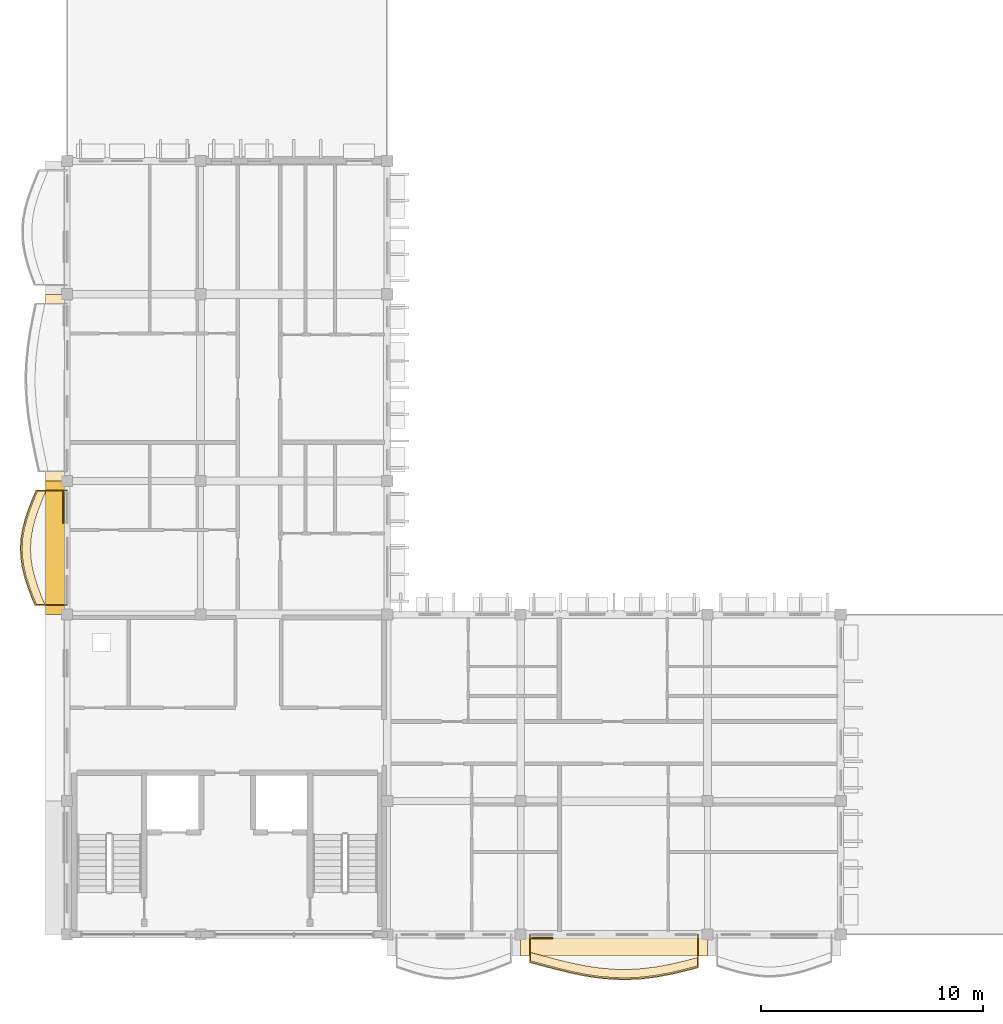
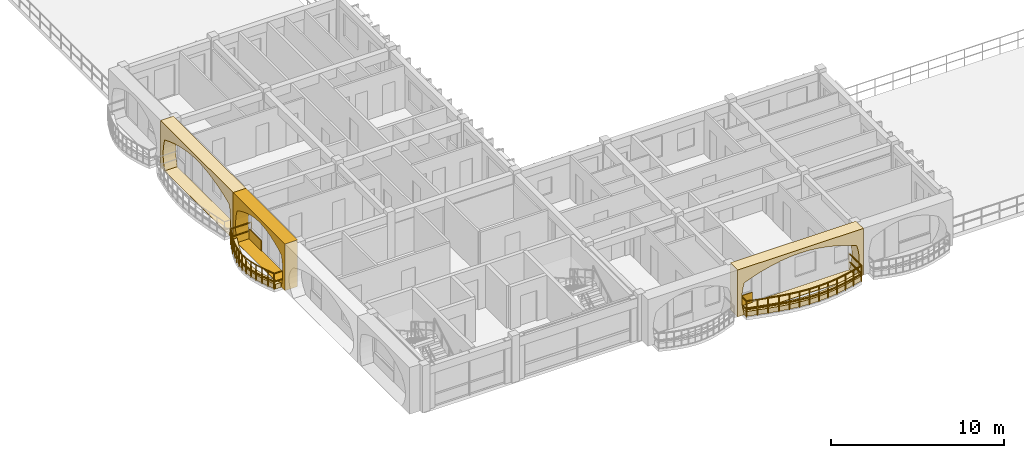
# One storey, part 37 of 59: 7 coverings, 2 railings.
"""IFC4 building model written with IfcOpenShell, lengths in metres."""

from ifc_helpers import new_model, si_unit, direction, frame, origin, origin_2d, place, context, subcontext, project, spatial, polyline, rectangle, outline, extrude, material, layer, layer_set, type_object, element, save


model = new_model("IFC4")

# Units and contexts
model_context = context("Model", 3, precision=1e-05, world=origin(), true_north=direction((0.0, 1.0)))
body_context = subcontext(model_context, "Body", "Model", "MODEL_VIEW")
ifc_project = project(units=[si_unit("LENGTHUNIT", "METRE"), si_unit("AREAUNIT", "SQUARE_METRE"), si_unit("VOLUMEUNIT", "CUBIC_METRE"), si_unit("PLANEANGLEUNIT", "RADIAN"), si_unit("MASSUNIT", "GRAM", prefix="KILO"), si_unit("THERMODYNAMICTEMPERATUREUNIT", "KELVIN")], contexts=[model_context])

# Site, building, storey
site_placement = place(None, origin())
site = spatial("IfcSite", under=ifc_project, at=site_placement, CompositionType="ELEMENT")
building_placement = place(site_placement, origin())
building = spatial("IfcBuilding", under=site, at=building_placement, Name="Thalorik Housing Commons", CompositionType="ELEMENT")
storey_placement = place(building_placement, frame((0.0, 0.0, 27.89990234375)))
storey = spatial("IfcBuildingStorey", under=building, at=storey_placement, Name="L08", CompositionType="ELEMENT", Elevation=27.89990234375)

# Coverings
ifc_material_1 = material(Name="Precast concrete C40/50", Category="concrete")
ifc_layer_1 = layer(ifc_material_1, 0.85009765625, Name="Precast concrete C40/50", Category="concrete")
ifc_layer_set_1 = layer_set([ifc_layer_1], Name="Precast concrete C40/50")
covering_type_1 = type_object("IfcCoveringType", Name="ARC-CLD-CUSH-850", PredefinedType="CLADDING", material=ifc_layer_set_1)
covering_1_placement = place(storey_placement, frame((7.857421875, 33.0, 0.0), z_axis=(0.0, 0.0, 1.0), x_axis=(0.0, -1.0, 0.0)))
element("IfcCovering", 1, at=covering_1_placement, inside=storey, type_object=covering_type_1, Name="L08 White Precast Curved Cushion Bay Frame 4301", PredefinedType="CLADDING", context=body_context, shape_type="SweptSolid", body=[
    extrude(outline(polyline([(-4.199951171875, 0.0), (4.199951171875, 0.0), (4.199951171875, 3.300048828125), (-4.199951171875, 3.300048828125), (-4.199951171875, 0.0)]), holes=[polyline([(3.735107421875, 0.02490234375), (3.833251953125, 0.387451171875), (3.89208984375, 0.75), (3.91162109375, 1.112548828125), (3.89208984375, 1.47509765625), (3.833251953125, 1.83740234375), (3.735107421875, 2.199951171875), (3.11328125, 2.455810546875), (2.49169921875, 2.656494140625), (1.8701171875, 2.819091796875), (1.248291015625, 2.940185546875), (0.626708984375, 3.014892578125), (0.0048828125, 3.0400390625), (-0.61669921875, 3.014892578125), (-1.23828125, 2.940185546875), (-1.860107421875, 2.819091796875), (-2.481689453125, 2.656494140625), (-3.103271484375, 2.455810546875), (-3.72509765625, 2.199951171875), (-3.8251953125, 1.83740234375), (-3.885498046875, 1.47509765625), (-3.905517578125, 1.112548828125), (-3.885498046875, 0.75), (-3.8251953125, 0.387451171875), (-3.72509765625, 0.02490234375), (3.735107421875, 0.02490234375)])]), frame((0.0, 0.425048828125, 0.0), z_axis=(0.0, -1.0, 0.0), x_axis=(1.0, 0.0, 0.0)), (0.0, 0.0, 1.0), 0.85009765625),
])
covering_2_placement = place(storey_placement, frame((7.857421875, 25.800048828125, 0.0), z_axis=(0.0, 0.0, 1.0), x_axis=(0.0, -1.0, 0.0)))
element("IfcCovering", 2, at=covering_2_placement, inside=storey, type_object=covering_type_1, Name="L08 White Precast Curved Cushion Bay Frame 4303", PredefinedType="CLADDING", context=body_context, shape_type="SweptSolid", body=[
    extrude(outline(polyline([(-3.0, 0.0), (3.0, 0.0), (3.0, 3.300048828125), (-3.0, 3.300048828125), (-3.0, 0.0)]), holes=[polyline([(2.570068359375, 0.02490234375), (2.660888671875, 0.399169921875), (2.715087890625, 0.773193359375), (2.7333984375, 1.1474609375), (2.715087890625, 1.521728515625), (2.660888671875, 1.895751953125), (2.570068359375, 2.27001953125), (2.142822265625, 2.50439453125), (1.7158203125, 2.6884765625), (1.288818359375, 2.837646484375), (0.86181640625, 2.948486328125), (0.4345703125, 3.016845703125), (0.007568359375, 3.0400390625), (-0.419677734375, 3.016845703125), (-0.8466796875, 2.948486328125), (-1.273681640625, 2.837646484375), (-1.70068359375, 2.6884765625), (-2.1279296875, 2.50439453125), (-2.554931640625, 2.27001953125), (-2.64892578125, 1.895751953125), (-2.705322265625, 1.521728515625), (-2.72412109375, 1.1474609375), (-2.705322265625, 0.773193359375), (-2.64892578125, 0.399169921875), (-2.554931640625, 0.02490234375), (2.570068359375, 0.02490234375)])]), frame((0.0, 0.425048828125, 0.0), z_axis=(0.0, -1.0, 0.0), x_axis=(1.0, 0.0, 0.0)), (0.0, 0.0, 1.0), 0.85009765625),
])
covering_3_placement = place(storey_placement, frame((33.0, 7.857421875, 0.0), z_axis=(0.0, 0.0, 1.0), x_axis=(1.0, 0.0, 0.0)))
element("IfcCovering", 3, at=covering_3_placement, inside=storey, type_object=covering_type_1, Name="L08 White Precast Curved Cushion Bay Frame 4311", PredefinedType="CLADDING", context=body_context, shape_type="SweptSolid", body=[
    extrude(outline(polyline([(-4.199951171875, 0.0), (4.199951171875, 0.0), (4.199951171875, 3.300048828125), (-4.199951171875, 3.300048828125), (-4.199951171875, 0.0)]), holes=[polyline([(3.75, 0.02490234375), (3.844970703125, 0.394287109375), (3.902099609375, 0.76318359375), (3.9208984375, 1.132568359375), (3.902099609375, 1.501708984375), (3.844970703125, 1.870849609375), (3.75, 2.239990234375), (3.124267578125, 2.4833984375), (2.498291015625, 2.6748046875), (1.87255859375, 2.82958984375), (1.24658203125, 2.94482421875), (0.620849609375, 3.01611328125), (-0.0048828125, 3.0400390625), (-0.630859375, 3.01611328125), (-1.256591796875, 2.94482421875), (-1.882568359375, 2.82958984375), (-2.50830078125, 2.6748046875), (-3.13427734375, 2.4833984375), (-3.760009765625, 2.239990234375), (-3.852783203125, 1.870849609375), (-3.90869140625, 1.501708984375), (-3.92724609375, 1.132568359375), (-3.90869140625, 0.76318359375), (-3.852783203125, 0.394287109375), (-3.760009765625, 0.02490234375), (3.75, 0.02490234375)])]), frame((0.0, 0.425048828125, 0.0), z_axis=(0.0, -1.0, 0.0), x_axis=(1.0, 0.0, 0.0)), (0.0, 0.0, 1.0), 0.85009765625),
])
ifc_material_2 = material(Name="Mineral ochre architectural terracotta panel", Category="masonry")
ifc_layer_2 = layer(ifc_material_2, 0.06494140625, Name="Mineral ochre architectural terracotta panel", Category="masonry")
ifc_layer_set_2 = layer_set([ifc_layer_2], Name="Mineral ochre architectural terracotta panel")
covering_type_2 = type_object("IfcCoveringType", Name="ARC-CLD-YEL-65", PredefinedType="CLADDING", material=ifc_layer_set_2)
covering_4_placement = place(storey_placement, frame((8.2451171875, 27.60498046875, 0.05029296875), z_axis=(0.0, 0.0, 1.0), x_axis=(0.0, -1.0, 0.0)))
element("IfcCovering", 4, at=covering_4_placement, inside=storey, type_object=covering_type_2, Name="L08 De Stijl Recessed Window Spandrel 4304", PredefinedType="CLADDING", context=body_context, shape_type="SweptSolid", body=[
    extrude(rectangle(XDim=1.39990234375, YDim=0.06494140625, at=origin_2d()), origin(), (0.0, 0.0, 1.0), 0.699951171875),
])
covering_5_placement = place(storey_placement, frame((29.764892578125, 8.2451171875, 0.05029296875), z_axis=(0.0, 0.0, 1.0), x_axis=(1.0, 0.0, 0.0)))
element("IfcCovering", 5, at=covering_5_placement, inside=storey, type_object=covering_type_2, Name="L08 De Stijl Recessed Window Spandrel 4312", PredefinedType="CLADDING", context=body_context, shape_type="SweptSolid", body=[
    extrude(rectangle(XDim=0.949951171875, YDim=0.06494140625, at=origin_2d()), origin(), (0.0, 0.0, 1.0), 0.699951171875),
])
ifc_material_3 = material(Name="Planted vegetated substrate and terracotta trough", Category="masonry")
ifc_layer_3 = layer(ifc_material_3, 0.340087890625, Name="Planted vegetated substrate and terracotta trough", Category="masonry")
ifc_layer_set_3 = layer_set([ifc_layer_3], Name="Planted vegetated substrate and terracotta trough")
covering_type_3 = type_object("IfcCoveringType", Name="ARC-COV-PLANTER", PredefinedType="USERDEFINED", material=ifc_layer_set_3)
covering_6_placement = place(storey_placement, origin())
element("IfcCovering", 6, at=covering_6_placement, inside=storey, type_object=covering_type_3, Name="L08 Balcony Slab-Edge Planted Trough 5627", ObjectType="PLANTER", PredefinedType="USERDEFINED", context=body_context, shape_type="SweptSolid", body=[
    extrude(outline(polyline([(7.079345703125, 28.3798828125), (6.8994140625, 27.949951171875), (6.73193359375, 27.52001953125), (6.58740234375, 27.090087890625), (6.475341796875, 26.659912109375), (6.402587890625, 26.22998046875), (6.3740234375, 25.800048828125), (6.39111328125, 25.3701171875), (6.452880859375, 24.93994140625), (6.5546875, 24.510009765625), (6.68994140625, 24.080078125), (6.849853515625, 23.64990234375), (7.023681640625, 23.219970703125), (7.40380859375, 23.219970703125), (7.229736328125, 23.64990234375), (7.06982421875, 24.080078125), (6.9345703125, 24.510009765625), (6.832763671875, 24.93994140625), (6.771240234375, 25.3701171875), (6.754150390625, 25.800048828125), (6.78271484375, 26.22998046875), (6.855224609375, 26.659912109375), (6.967529296875, 27.090087890625), (7.11181640625, 27.52001953125), (7.279541015625, 27.949951171875), (7.459228515625, 28.3798828125), (7.079345703125, 28.3798828125)])), origin(), (0.0, 0.0, 1.0), 0.340087890625),
])
covering_7_placement = place(storey_placement, origin())
element("IfcCovering", 7, at=covering_7_placement, inside=storey, type_object=covering_type_3, Name="L08 Balcony Slab-Edge Planted Trough 5631", ObjectType="PLANTER", PredefinedType="USERDEFINED", context=body_context, shape_type="SweptSolid", body=[
    extrude(outline(polyline([(29.219970703125, 7.218017578125), (29.85009765625, 7.04931640625), (30.47998046875, 6.88330078125), (31.110107421875, 6.731689453125), (31.739990234375, 6.604736328125), (32.3701171875, 6.511474609375), (33.0, 6.458251953125), (33.6298828125, 6.448974609375), (34.260009765625, 6.484619140625), (34.889892578125, 6.56298828125), (35.52001953125, 6.6787109375), (36.14990234375, 6.823974609375), (36.780029296875, 6.98876953125), (36.780029296875, 7.368896484375), (36.14990234375, 7.203857421875), (35.52001953125, 7.05859375), (34.889892578125, 6.94287109375), (34.260009765625, 6.86474609375), (33.6298828125, 6.8291015625), (33.0, 6.838134765625), (32.3701171875, 6.891357421875), (31.739990234375, 6.98486328125), (31.110107421875, 7.11181640625), (30.47998046875, 7.263427734375), (29.85009765625, 7.42919921875), (29.219970703125, 7.597900390625), (29.219970703125, 7.218017578125)])), origin(), (0.0, 0.0, 1.0), 0.340087890625),
])

# Railings
ifc_material_4 = material(Name="Steel S355", Category="steel")
railing_type = type_object("IfcRailingType", Name="ARC-RL-BAL-115", PredefinedType="BALUSTRADE", material=ifc_material_4)
railing_1_placement = place(storey_placement, frame((8.39990234375, 28.3798828125, 0.0)))
element("IfcRailing", 8, at=railing_1_placement, inside=storey, type_object=railing_type, Name="L08 Cushion Balcony Guardrail 311", PredefinedType="BALUSTRADE", context=body_context, shape_type="SweptSolid", body=[
    extrude(rectangle(XDim=0.050048828125, YDim=0.050048828125, at=origin_2d()), frame((0.0, 0.0, 1.125), z_axis=(-1.0, 0.0, 0.0), x_axis=(0.0, -1.0, 0.0)), (0.0, 0.0, 1.0), 1.390625),
    extrude(rectangle(XDim=0.050048828125, YDim=0.050048828125, at=origin_2d()), frame((0.0, 0.0, 0.5498046875), z_axis=(-1.0, 0.0, 0.0), x_axis=(0.0, -1.0, 0.0)), (0.0, 0.0, 1.0), 1.390625),
    extrude(rectangle(XDim=0.050048828125, YDim=0.050048828125, at=origin_2d()), frame((-1.390625, 0.0, 1.125), z_axis=(-0.385619633043, -0.922657844822, 0.0), x_axis=(0.922657844822, -0.385619633043, 0.0)), (0.0, 0.0, 1.0), 0.466064453125),
    extrude(rectangle(XDim=0.050048828125, YDim=0.050048828125, at=origin_2d()), frame((-1.390625, 0.0, 0.5498046875), z_axis=(-0.385619633043, -0.922657844822, 0.0), x_axis=(0.922657844822, -0.385619633043, 0.0)), (0.0, 0.0, 1.0), 0.466064453125),
    extrude(rectangle(XDim=0.050048828125, YDim=0.050048828125, at=origin_2d()), frame((-1.5703125, -0.429931640625, 1.125), z_axis=(-0.363441703429, -0.931616942852, 0.0), x_axis=(0.931616942852, -0.363441703429, 0.0)), (0.0, 0.0, 1.0), 0.46142578125),
    extrude(rectangle(XDim=0.050048828125, YDim=0.050048828125, at=origin_2d()), frame((-1.5703125, -0.429931640625, 0.5498046875), z_axis=(-0.363441703429, -0.931616942852, 0.0), x_axis=(0.931616942852, -0.363441703429, 0.0)), (0.0, 0.0, 1.0), 0.46142578125),
    extrude(rectangle(XDim=0.050048828125, YDim=0.050048828125, at=origin_2d()), frame((-1.738037109375, -0.85986328125, 1.125), z_axis=(-0.318165168077, -0.948035297772, 0.0), x_axis=(0.948035297772, -0.318165168077, 0.0)), (0.0, 0.0, 1.0), 0.45361328125),
    extrude(rectangle(XDim=0.050048828125, YDim=0.050048828125, at=origin_2d()), frame((-1.738037109375, -0.85986328125, 0.5498046875), z_axis=(-0.318165168077, -0.948035297772, 0.0), x_axis=(0.948035297772, -0.318165168077, 0.0)), (0.0, 0.0, 1.0), 0.45361328125),
    extrude(rectangle(XDim=0.050048828125, YDim=0.050048828125, at=origin_2d()), frame((-1.88232421875, -1.289794921875, 1.125), z_axis=(-0.252600725208, -0.967570603948, 0.0), x_axis=(0.967570603948, -0.252600725208, 0.0)), (0.0, 0.0, 1.0), 0.444580078125),
    extrude(rectangle(XDim=0.050048828125, YDim=0.050048828125, at=origin_2d()), frame((-1.88232421875, -1.289794921875, 0.5498046875), z_axis=(-0.252600725208, -0.967570603948, 0.0), x_axis=(0.967570603948, -0.252600725208, 0.0)), (0.0, 0.0, 1.0), 0.444580078125),
    extrude(rectangle(XDim=0.050048828125, YDim=0.050048828125, at=origin_2d()), frame((-1.99462890625, -1.719970703125, 1.125), z_axis=(-0.16630554136, -0.986074270485, 0.0), x_axis=(0.986074270485, -0.16630554136, 0.0)), (0.0, 0.0, 1.0), 0.43603515625),
    extrude(rectangle(XDim=0.050048828125, YDim=0.050048828125, at=origin_2d()), frame((-1.99462890625, -1.719970703125, 0.5498046875), z_axis=(-0.16630554136, -0.986074270485, 0.0), x_axis=(0.986074270485, -0.16630554136, 0.0)), (0.0, 0.0, 1.0), 0.43603515625),
    extrude(rectangle(XDim=0.050048828125, YDim=0.050048828125, at=origin_2d()), frame((-2.067138671875, -2.14990234375, 1.125), z_axis=(-0.06629336768, -0.997800175086, 0.0), x_axis=(0.997800175086, -0.06629336768, 0.0)), (0.0, 0.0, 1.0), 0.430908203125),
    extrude(rectangle(XDim=0.050048828125, YDim=0.050048828125, at=origin_2d()), frame((-2.067138671875, -2.14990234375, 0.5498046875), z_axis=(-0.06629336768, -0.997800175086, 0.0), x_axis=(0.997800175086, -0.06629336768, 0.0)), (0.0, 0.0, 1.0), 0.430908203125),
    extrude(rectangle(XDim=0.050048828125, YDim=0.050048828125, at=origin_2d()), frame((-2.095703125, -2.579833984375, 1.125), z_axis=(0.039718775053, -0.999210898113, 0.0), x_axis=(0.999210898113, 0.039718775053, 0.0)), (0.0, 0.0, 1.0), 0.43017578125),
    extrude(rectangle(XDim=0.050048828125, YDim=0.050048828125, at=origin_2d()), frame((-2.095703125, -2.579833984375, 0.5498046875), z_axis=(0.039718775053, -0.999210898113, 0.0), x_axis=(0.999210898113, 0.039718775053, 0.0)), (0.0, 0.0, 1.0), 0.43017578125),
    extrude(rectangle(XDim=0.050048828125, YDim=0.050048828125, at=origin_2d()), frame((-2.07861328125, -3.009765625, 1.125), z_axis=(0.141578664079, -0.989927008359, 0.0), x_axis=(0.989927008359, 0.141578664079, 0.0)), (0.0, 0.0, 1.0), 0.4345703125),
    extrude(rectangle(XDim=0.050048828125, YDim=0.050048828125, at=origin_2d()), frame((-2.07861328125, -3.009765625, 0.5498046875), z_axis=(0.141578664079, -0.989927008359, 0.0), x_axis=(0.989927008359, 0.141578664079, 0.0)), (0.0, 0.0, 1.0), 0.4345703125),
    extrude(rectangle(XDim=0.050048828125, YDim=0.050048828125, at=origin_2d()), frame((-2.01708984375, -3.43994140625, 1.125), z_axis=(0.230425076192, -0.973090069964, 0.0), x_axis=(0.973090069964, 0.230425076192, 0.0)), (0.0, 0.0, 1.0), 0.44189453125),
    extrude(rectangle(XDim=0.050048828125, YDim=0.050048828125, at=origin_2d()), frame((-2.01708984375, -3.43994140625, 0.5498046875), z_axis=(0.230425076192, -0.973090069964, 0.0), x_axis=(0.973090069964, 0.230425076192, 0.0)), (0.0, 0.0, 1.0), 0.44189453125),
    extrude(rectangle(XDim=0.050048828125, YDim=0.050048828125, at=origin_2d()), frame((-1.915283203125, -3.869873046875, 1.125), z_axis=(0.300094208559, -0.953909569084, 0.0), x_axis=(0.953909569084, 0.300094208559, 0.0)), (0.0, 0.0, 1.0), 0.45068359375),
    extrude(rectangle(XDim=0.050048828125, YDim=0.050048828125, at=origin_2d()), frame((-1.915283203125, -3.869873046875, 0.5498046875), z_axis=(0.300094208559, -0.953909569084, 0.0), x_axis=(0.953909569084, 0.300094208559, 0.0)), (0.0, 0.0, 1.0), 0.45068359375),
    extrude(rectangle(XDim=0.050048828125, YDim=0.050048828125, at=origin_2d()), frame((-1.780029296875, -4.2998046875, 1.125), z_axis=(0.348440290152, -0.937330979003, 0.0), x_axis=(0.937330979003, 0.348440290152, 0.0)), (0.0, 0.0, 1.0), 0.458984375),
    extrude(rectangle(XDim=0.050048828125, YDim=0.050048828125, at=origin_2d()), frame((-1.780029296875, -4.2998046875, 0.5498046875), z_axis=(0.348440290152, -0.937330979003, 0.0), x_axis=(0.937330979003, 0.348440290152, 0.0)), (0.0, 0.0, 1.0), 0.458984375),
    extrude(rectangle(XDim=0.050048828125, YDim=0.050048828125, at=origin_2d()), frame((-1.6201171875, -4.72998046875, 1.125), z_axis=(0.374837314047, -0.927090603985, 0.0), x_axis=(0.927090603985, 0.374837314047, 0.0)), (0.0, 0.0, 1.0), 0.463623046875),
    extrude(rectangle(XDim=0.050048828125, YDim=0.050048828125, at=origin_2d()), frame((-1.6201171875, -4.72998046875, 0.5498046875), z_axis=(0.374837314047, -0.927090603985, 0.0), x_axis=(0.927090603985, 0.374837314047, 0.0)), (0.0, 0.0, 1.0), 0.463623046875),
    extrude(rectangle(XDim=0.050048828125, YDim=0.050048828125, at=origin_2d()), frame((-1.4462890625, -5.159912109375, 1.125), z_axis=(1.0, 0.0, 0.0), x_axis=(0.0, 1.0, 0.0)), (0.0, 0.0, 1.0), 1.4462890625),
    extrude(rectangle(XDim=0.050048828125, YDim=0.050048828125, at=origin_2d()), frame((-1.4462890625, -5.159912109375, 0.5498046875), z_axis=(1.0, 0.0, 0.0), x_axis=(0.0, 1.0, 0.0)), (0.0, 0.0, 1.0), 1.4462890625),
    extrude(rectangle(XDim=0.0419921875, YDim=0.0419921875, at=origin_2d()), origin(), (0.0, 0.0, 1.0), 1.099853515625),
    extrude(rectangle(XDim=0.0419921875, YDim=0.0419921875, at=origin_2d()), frame((-1.390625, 0.0, 0.0)), (0.0, 0.0, 1.0), 1.099853515625),
    extrude(rectangle(XDim=0.0419921875, YDim=0.0419921875, at=origin_2d()), frame((-1.5703125, -0.429931640625, 0.0)), (0.0, 0.0, 1.0), 1.099853515625),
    extrude(rectangle(XDim=0.0419921875, YDim=0.0419921875, at=origin_2d()), frame((-1.738037109375, -0.85986328125, 0.0)), (0.0, 0.0, 1.0), 1.099853515625),
    extrude(rectangle(XDim=0.0419921875, YDim=0.0419921875, at=origin_2d()), frame((-1.88232421875, -1.289794921875, 0.0)), (0.0, 0.0, 1.0), 1.099853515625),
    extrude(rectangle(XDim=0.0419921875, YDim=0.0419921875, at=origin_2d()), frame((-1.99462890625, -1.719970703125, 0.0)), (0.0, 0.0, 1.0), 1.099853515625),
    extrude(rectangle(XDim=0.0419921875, YDim=0.0419921875, at=origin_2d()), frame((-2.067138671875, -2.14990234375, 0.0)), (0.0, 0.0, 1.0), 1.099853515625),
    extrude(rectangle(XDim=0.0419921875, YDim=0.0419921875, at=origin_2d()), frame((-2.095703125, -2.579833984375, 0.0)), (0.0, 0.0, 1.0), 1.099853515625),
    extrude(rectangle(XDim=0.0419921875, YDim=0.0419921875, at=origin_2d()), frame((-2.07861328125, -3.009765625, 0.0)), (0.0, 0.0, 1.0), 1.099853515625),
    extrude(rectangle(XDim=0.0419921875, YDim=0.0419921875, at=origin_2d()), frame((-2.01708984375, -3.43994140625, 0.0)), (0.0, 0.0, 1.0), 1.099853515625),
    extrude(rectangle(XDim=0.0419921875, YDim=0.0419921875, at=origin_2d()), frame((-1.915283203125, -3.869873046875, 0.0)), (0.0, 0.0, 1.0), 1.099853515625),
    extrude(rectangle(XDim=0.0419921875, YDim=0.0419921875, at=origin_2d()), frame((-1.780029296875, -4.2998046875, 0.0)), (0.0, 0.0, 1.0), 1.099853515625),
    extrude(rectangle(XDim=0.0419921875, YDim=0.0419921875, at=origin_2d()), frame((-1.6201171875, -4.72998046875, 0.0)), (0.0, 0.0, 1.0), 1.099853515625),
    extrude(rectangle(XDim=0.0419921875, YDim=0.0419921875, at=origin_2d()), frame((-1.4462890625, -5.159912109375, 0.0)), (0.0, 0.0, 1.0), 1.099853515625),
    extrude(rectangle(XDim=0.0419921875, YDim=0.0419921875, at=origin_2d()), frame((0.0, -5.159912109375, 0.0)), (0.0, 0.0, 1.0), 1.099853515625),
])
railing_2_placement = place(storey_placement, frame((29.219970703125, 8.39990234375, 0.0)))
element("IfcRailing", 9, at=railing_2_placement, inside=storey, type_object=railing_type, Name="L08 Cushion Balcony Guardrail 315", PredefinedType="BALUSTRADE", context=body_context, shape_type="SweptSolid", body=[
    extrude(rectangle(XDim=0.050048828125, YDim=0.050048828125, at=origin_2d()), frame((0.0, 0.0, 1.125), z_axis=(0.0, -1.0, 0.0), x_axis=(1.0, 0.0, 0.0)), (0.0, 0.0, 1.0), 1.251953125),
    extrude(rectangle(XDim=0.050048828125, YDim=0.050048828125, at=origin_2d()), frame((0.0, 0.0, 0.5498046875), z_axis=(0.0, -1.0, 0.0), x_axis=(1.0, 0.0, 0.0)), (0.0, 0.0, 1.0), 1.251953125),
    extrude(rectangle(XDim=0.050048828125, YDim=0.050048828125, at=origin_2d()), frame((0.0, -1.251953125, 1.125), z_axis=(0.965979780543, -0.258617601068, 0.0), x_axis=(0.258617601068, 0.965979780543, 0.0)), (0.0, 0.0, 1.0), 0.65234375),
    extrude(rectangle(XDim=0.050048828125, YDim=0.050048828125, at=origin_2d()), frame((0.0, -1.251953125, 0.5498046875), z_axis=(0.965979780543, -0.258617601068, 0.0), x_axis=(0.258617601068, 0.965979780543, 0.0)), (0.0, 0.0, 1.0), 0.65234375),
    extrude(rectangle(XDim=0.050048828125, YDim=0.050048828125, at=origin_2d()), frame((0.630126953125, -1.420654296875, 1.125), z_axis=(0.967069681734, -0.254511749573, 0.0), x_axis=(0.254511749573, 0.967069681734, 0.0)), (0.0, 0.0, 1.0), 0.6513671875),
    extrude(rectangle(XDim=0.050048828125, YDim=0.050048828125, at=origin_2d()), frame((0.630126953125, -1.420654296875, 0.5498046875), z_axis=(0.967069681734, -0.254511749573, 0.0), x_axis=(0.254511749573, 0.967069681734, 0.0)), (0.0, 0.0, 1.0), 0.6513671875),
    extrude(rectangle(XDim=0.050048828125, YDim=0.050048828125, at=origin_2d()), frame((1.260009765625, -1.58642578125, 1.125), z_axis=(0.972253789231, -0.23392855603, 0.0), x_axis=(0.23392855603, 0.972253789231, 0.0)), (0.0, 0.0, 1.0), 0.648193359375),
    extrude(rectangle(XDim=0.050048828125, YDim=0.050048828125, at=origin_2d()), frame((1.260009765625, -1.58642578125, 0.5498046875), z_axis=(0.972253789231, -0.23392855603, 0.0), x_axis=(0.23392855603, 0.972253789231, 0.0)), (0.0, 0.0, 1.0), 0.648193359375),
    extrude(rectangle(XDim=0.050048828125, YDim=0.050048828125, at=origin_2d()), frame((1.89013671875, -1.738037109375, 1.125), z_axis=(0.980287312647, -0.19757728782, 0.0), x_axis=(0.19757728782, 0.980287312647, 0.0)), (0.0, 0.0, 1.0), 0.642578125),
    extrude(rectangle(XDim=0.050048828125, YDim=0.050048828125, at=origin_2d()), frame((1.89013671875, -1.738037109375, 0.5498046875), z_axis=(0.980287312647, -0.19757728782, 0.0), x_axis=(0.19757728782, 0.980287312647, 0.0)), (0.0, 0.0, 1.0), 0.642578125),
    extrude(rectangle(XDim=0.050048828125, YDim=0.050048828125, at=origin_2d()), frame((2.52001953125, -1.864990234375, 1.125), z_axis=(0.989168452957, -0.146784780117, 0.0), x_axis=(0.146784780117, 0.989168452957, 0.0)), (0.0, 0.0, 1.0), 0.636962890625),
    extrude(rectangle(XDim=0.050048828125, YDim=0.050048828125, at=origin_2d()), frame((2.52001953125, -1.864990234375, 0.5498046875), z_axis=(0.989168452957, -0.146784780117, 0.0), x_axis=(0.146784780117, 0.989168452957, 0.0)), (0.0, 0.0, 1.0), 0.636962890625),
    extrude(rectangle(XDim=0.050048828125, YDim=0.050048828125, at=origin_2d()), frame((3.150146484375, -1.95849609375, 1.125), z_axis=(0.99644920467, -0.084196095588, 0.0), x_axis=(0.084196095588, 0.99644920467, 0.0)), (0.0, 0.0, 1.0), 0.632080078125),
    extrude(rectangle(XDim=0.050048828125, YDim=0.050048828125, at=origin_2d()), frame((3.150146484375, -1.95849609375, 0.5498046875), z_axis=(0.99644920467, -0.084196095588, 0.0), x_axis=(0.084196095588, 0.99644920467, 0.0)), (0.0, 0.0, 1.0), 0.632080078125),
    extrude(rectangle(XDim=0.050048828125, YDim=0.050048828125, at=origin_2d()), frame((3.780029296875, -2.01171875, 1.125), z_axis=(0.999891550605, -0.014727084854, 0.0), x_axis=(0.014727084854, 0.999891550605, 0.0)), (0.0, 0.0, 1.0), 0.6298828125),
    extrude(rectangle(XDim=0.050048828125, YDim=0.050048828125, at=origin_2d()), frame((3.780029296875, -2.01171875, 0.5498046875), z_axis=(0.999891550605, -0.014727084854, 0.0), x_axis=(0.014727084854, 0.999891550605, 0.0)), (0.0, 0.0, 1.0), 0.6298828125),
    extrude(rectangle(XDim=0.050048828125, YDim=0.050048828125, at=origin_2d()), frame((4.409912109375, -2.02099609375, 1.125), z_axis=(0.998382018141, 0.056862517112, 0.0), x_axis=(-0.056862517112, 0.998382018141, 0.0)), (0.0, 0.0, 1.0), 0.631103515625),
    extrude(rectangle(XDim=0.050048828125, YDim=0.050048828125, at=origin_2d()), frame((4.409912109375, -2.02099609375, 0.5498046875), z_axis=(0.998382018141, 0.056862517112, 0.0), x_axis=(-0.056862517112, 0.998382018141, 0.0)), (0.0, 0.0, 1.0), 0.631103515625),
    extrude(rectangle(XDim=0.050048828125, YDim=0.050048828125, at=origin_2d()), frame((5.0400390625, -1.985107421875, 1.125), z_axis=(0.992395778683, 0.123087848519, 0.0), x_axis=(-0.123087848519, 0.992395778683, 0.0)), (0.0, 0.0, 1.0), 0.634765625),
    extrude(rectangle(XDim=0.050048828125, YDim=0.050048828125, at=origin_2d()), frame((5.0400390625, -1.985107421875, 0.5498046875), z_axis=(0.992395778683, 0.123087848519, 0.0), x_axis=(-0.123087848519, 0.992395778683, 0.0)), (0.0, 0.0, 1.0), 0.634765625),
    extrude(rectangle(XDim=0.050048828125, YDim=0.050048828125, at=origin_2d()), frame((5.669921875, -1.906982421875, 1.125), z_axis=(0.983551311417, 0.180628950644, 0.0), x_axis=(-0.180628950644, 0.983551311417, 0.0)), (0.0, 0.0, 1.0), 0.640625),
    extrude(rectangle(XDim=0.050048828125, YDim=0.050048828125, at=origin_2d()), frame((5.669921875, -1.906982421875, 0.5498046875), z_axis=(0.983551311417, 0.180628950644, 0.0), x_axis=(-0.180628950644, 0.983551311417, 0.0)), (0.0, 0.0, 1.0), 0.640625),
    extrude(rectangle(XDim=0.050048828125, YDim=0.050048828125, at=origin_2d()), frame((6.300048828125, -1.791259765625, 1.125), z_axis=(0.974423013182, 0.224721586373, 0.0), x_axis=(-0.224721586373, 0.974423013182, 0.0)), (0.0, 0.0, 1.0), 0.646484375),
    extrude(rectangle(XDim=0.050048828125, YDim=0.050048828125, at=origin_2d()), frame((6.300048828125, -1.791259765625, 0.5498046875), z_axis=(0.974423013182, 0.224721586373, 0.0), x_axis=(-0.224721586373, 0.974423013182, 0.0)), (0.0, 0.0, 1.0), 0.646484375),
    extrude(rectangle(XDim=0.050048828125, YDim=0.050048828125, at=origin_2d()), frame((6.929931640625, -1.64599609375, 1.125), z_axis=(0.967461845961, 0.253016949254, 0.0), x_axis=(-0.253016949254, 0.967461845961, 0.0)), (0.0, 0.0, 1.0), 0.6513671875),
    extrude(rectangle(XDim=0.050048828125, YDim=0.050048828125, at=origin_2d()), frame((6.929931640625, -1.64599609375, 0.5498046875), z_axis=(0.967461845961, 0.253016949254, 0.0), x_axis=(-0.253016949254, 0.967461845961, 0.0)), (0.0, 0.0, 1.0), 0.6513671875),
    extrude(rectangle(XDim=0.050048828125, YDim=0.050048828125, at=origin_2d()), frame((7.56005859375, -1.481201171875, 1.125), z_axis=(0.0, 1.0, 0.0), x_axis=(-1.0, 0.0, 0.0)), (0.0, 0.0, 1.0), 1.481201171875),
    extrude(rectangle(XDim=0.050048828125, YDim=0.050048828125, at=origin_2d()), frame((7.56005859375, -1.481201171875, 0.5498046875), z_axis=(0.0, 1.0, 0.0), x_axis=(-1.0, 0.0, 0.0)), (0.0, 0.0, 1.0), 1.481201171875),
    extrude(rectangle(XDim=0.0419921875, YDim=0.0419921875, at=origin_2d()), origin(), (0.0, 0.0, 1.0), 1.099853515625),
    extrude(rectangle(XDim=0.0419921875, YDim=0.0419921875, at=origin_2d()), frame((0.0, -1.251953125, 0.0)), (0.0, 0.0, 1.0), 1.099853515625),
    extrude(rectangle(XDim=0.0419921875, YDim=0.0419921875, at=origin_2d()), frame((0.630126953125, -1.420654296875, 0.0)), (0.0, 0.0, 1.0), 1.099853515625),
    extrude(rectangle(XDim=0.0419921875, YDim=0.0419921875, at=origin_2d()), frame((1.260009765625, -1.58642578125, 0.0)), (0.0, 0.0, 1.0), 1.099853515625),
    extrude(rectangle(XDim=0.0419921875, YDim=0.0419921875, at=origin_2d()), frame((1.89013671875, -1.738037109375, 0.0)), (0.0, 0.0, 1.0), 1.099853515625),
    extrude(rectangle(XDim=0.0419921875, YDim=0.0419921875, at=origin_2d()), frame((2.52001953125, -1.864990234375, 0.0)), (0.0, 0.0, 1.0), 1.099853515625),
    extrude(rectangle(XDim=0.0419921875, YDim=0.0419921875, at=origin_2d()), frame((3.150146484375, -1.95849609375, 0.0)), (0.0, 0.0, 1.0), 1.099853515625),
    extrude(rectangle(XDim=0.0419921875, YDim=0.0419921875, at=origin_2d()), frame((3.780029296875, -2.01171875, 0.0)), (0.0, 0.0, 1.0), 1.099853515625),
    extrude(rectangle(XDim=0.0419921875, YDim=0.0419921875, at=origin_2d()), frame((4.409912109375, -2.02099609375, 0.0)), (0.0, 0.0, 1.0), 1.099853515625),
    extrude(rectangle(XDim=0.0419921875, YDim=0.0419921875, at=origin_2d()), frame((5.0400390625, -1.985107421875, 0.0)), (0.0, 0.0, 1.0), 1.099853515625),
    extrude(rectangle(XDim=0.0419921875, YDim=0.0419921875, at=origin_2d()), frame((5.669921875, -1.906982421875, 0.0)), (0.0, 0.0, 1.0), 1.099853515625),
    extrude(rectangle(XDim=0.0419921875, YDim=0.0419921875, at=origin_2d()), frame((6.300048828125, -1.791259765625, 0.0)), (0.0, 0.0, 1.0), 1.099853515625),
    extrude(rectangle(XDim=0.0419921875, YDim=0.0419921875, at=origin_2d()), frame((6.929931640625, -1.64599609375, 0.0)), (0.0, 0.0, 1.0), 1.099853515625),
    extrude(rectangle(XDim=0.0419921875, YDim=0.0419921875, at=origin_2d()), frame((7.56005859375, -1.481201171875, 0.0)), (0.0, 0.0, 1.0), 1.099853515625),
    extrude(rectangle(XDim=0.0419921875, YDim=0.0419921875, at=origin_2d()), frame((7.56005859375, 0.0, 0.0)), (0.0, 0.0, 1.0), 1.099853515625),
])

save(model, "model.ifc")
